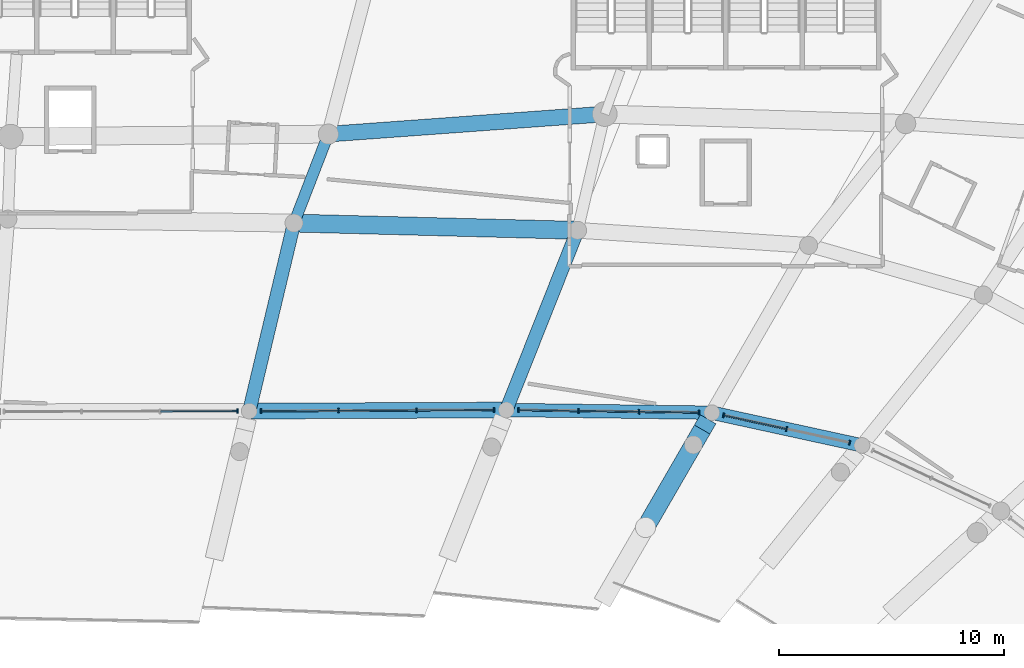
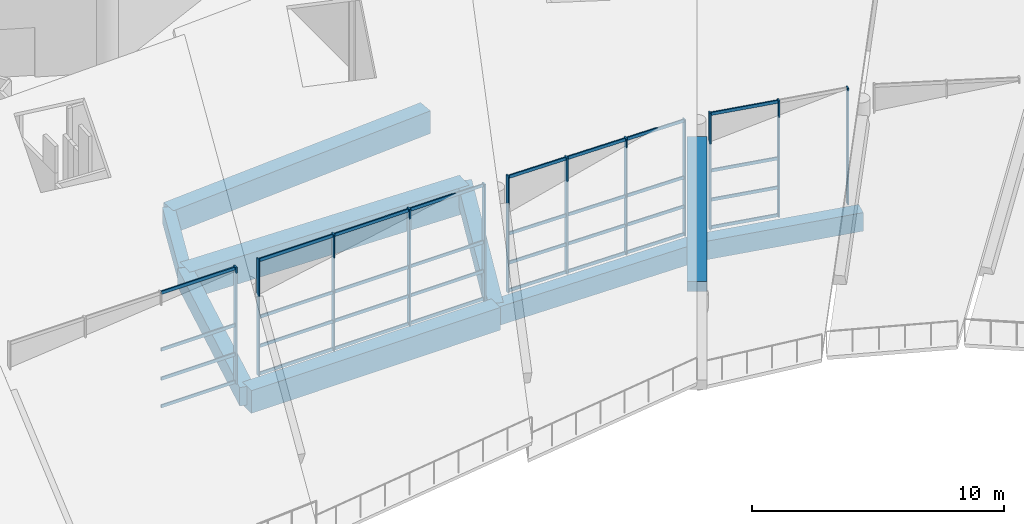
# One storey, part 86 of 249: 44 members, 9 beams, 4 elements without a shape of their own.
"""IFC4 building model written with IfcOpenShell, lengths in metres."""

from ifc_helpers import new_model, si_unit, direction, frame, origin, origin_2d, place, context, subcontext, project, spatial, rectangle, extrude, material, layer, layer_set, material_profile, profile_set, type_object, element, aggregate, save


model = new_model("IFC4")

# Units and contexts
model_context = context("Model", 3, precision=1e-05, world=origin(), true_north=direction((0.0, 1.0)))
body_context = subcontext(model_context, "Body", "Model", "MODEL_VIEW")
ifc_project = project(units=[si_unit("LENGTHUNIT", "METRE"), si_unit("AREAUNIT", "SQUARE_METRE"), si_unit("VOLUMEUNIT", "CUBIC_METRE"), si_unit("PLANEANGLEUNIT", "RADIAN"), si_unit("MASSUNIT", "GRAM", prefix="KILO")], contexts=[model_context])

# Site, building, storey
site_placement = place(None, origin())
site = spatial("IfcSite", under=ifc_project, at=site_placement, CompositionType="ELEMENT")
building_placement = place(site_placement, origin())
building = spatial("IfcBuilding", under=site, at=building_placement, Name="Meseta Stadium", CompositionType="ELEMENT")
storey_placement = place(building_placement, frame((0.0, 0.0, 12.0)))
storey = spatial("IfcBuildingStorey", under=building, at=storey_placement, Name="L02", CompositionType="ELEMENT", Elevation=12.0)

# Curtain wall, members
ifc_material_1 = material(Name="Aluminium", Category="aluminium")
ifc_layer = layer(ifc_material_1, 0.199951171875)
ifc_layer_set = layer_set([ifc_layer], Name="Suite glazing curtain wall")
curtain_wall_type = type_object("IfcCurtainWallType", Name="Suite glazing curtain wall", PredefinedType="NOTDEFINED", material=ifc_layer_set)
curtain_wall_1_placement = place(storey_placement, origin())
curtain_wall_1 = element("IfcCurtainWall", 1, at=curtain_wall_1_placement, inside=storey, type_object=curtain_wall_type, Name="Suite glazing bay 14", PredefinedType="NOTDEFINED")
ifc_material_2 = material(Name="Aluminium", Category="aluminium")
ifc_material_profile_1 = material_profile(ifc_material_2, rectangle(XDim=0.199951171875, YDim=0.06005859375, at=origin_2d()), Name="CW 200x60")
ifc_profile_set_1 = profile_set([ifc_material_profile_1], Name="Aluminium")
member_type_1 = type_object("IfcMemberType", Name="CW mullion 60x200", PredefinedType="MULLION", material=ifc_profile_set_1)
member_1_placement = place(storey_placement, frame((43.83740234375, 75.9267578125, 0.0), z_axis=(0.0, 0.0, 1.0), x_axis=(-0.21291694712, -0.977070301273, 0.0)))
member_1 = element("IfcMember", 2, at=member_1_placement, type_object=member_type_1, Name="CWS mullion 1", PredefinedType="MULLION", context=body_context, shape_type="SweptSolid", body=[
    extrude(rectangle(XDim=0.199951171875, YDim=0.06005859375, at=origin_2d()), origin(), (0.0, 0.0, 1.0), 5.64990234375),
])
member_2_placement = place(storey_placement, frame((41.034912109375, 76.53759765625, 0.0), z_axis=(0.0, 0.0, 1.0), x_axis=(-0.21291694712, -0.977070301273, 0.0)))
member_2 = element("IfcMember", 3, at=member_2_placement, type_object=member_type_1, Name="CWS mullion 2", PredefinedType="MULLION", context=body_context, shape_type="SweptSolid", body=[
    extrude(rectangle(XDim=0.199951171875, YDim=0.06005859375, at=origin_2d()), origin(), (0.0, 0.0, 1.0), 5.64990234375),
])
member_3_placement = place(storey_placement, frame((38.232421875, 77.148193359375, 0.0), z_axis=(0.0, 0.0, 1.0), x_axis=(-0.21291694712, -0.977070301273, 0.0)))
member_3 = element("IfcMember", 4, at=member_3_placement, type_object=member_type_1, Name="CWS mullion 3", PredefinedType="MULLION", context=body_context, shape_type="SweptSolid", body=[
    extrude(rectangle(XDim=0.199951171875, YDim=0.06005859375, at=origin_2d()), origin(), (0.0, 0.0, 1.0), 5.64990234375),
])

curtain_wall_2_placement = place(storey_placement, origin())
curtain_wall_2 = element("IfcCurtainWall", 5, at=curtain_wall_2_placement, inside=storey, type_object=curtain_wall_type, Name="Suite glazing bay 15", PredefinedType="NOTDEFINED")
member_4_placement = place(storey_placement, frame((37.1328125, 77.269287109375, 0.0), z_axis=(0.0, 0.0, 1.0), x_axis=(-0.013281177042, -0.999911801279, 0.0)))
member_4 = element("IfcMember", 6, at=member_4_placement, type_object=member_type_1, Name="CWS mullion 1", PredefinedType="MULLION", context=body_context, shape_type="SweptSolid", body=[
    extrude(rectangle(XDim=0.199951171875, YDim=0.06005859375, at=origin_2d()), origin(), (0.0, 0.0, 1.0), 5.64990234375),
])
member_5_placement = place(storey_placement, frame((34.4677734375, 77.3046875, 0.0), z_axis=(0.0, 0.0, 1.0), x_axis=(-0.013281177042, -0.999911801279, 0.0)))
member_5 = element("IfcMember", 7, at=member_5_placement, type_object=member_type_1, Name="CWS mullion 2", PredefinedType="MULLION", context=body_context, shape_type="SweptSolid", body=[
    extrude(rectangle(XDim=0.199951171875, YDim=0.06005859375, at=origin_2d()), origin(), (0.0, 0.0, 1.0), 5.64990234375),
])
member_6_placement = place(storey_placement, frame((31.7724609375, 77.340576171875, 0.0), z_axis=(0.0, 0.0, 1.0), x_axis=(-0.013281177042, -0.999911801279, 0.0)))
member_6 = element("IfcMember", 8, at=member_6_placement, type_object=member_type_1, Name="CWS mullion 3", PredefinedType="MULLION", context=body_context, shape_type="SweptSolid", body=[
    extrude(rectangle(XDim=0.199951171875, YDim=0.06005859375, at=origin_2d()), origin(), (0.0, 0.0, 1.0), 5.64990234375),
])
member_7_placement = place(storey_placement, frame((29.107421875, 77.3759765625, 0.0), z_axis=(0.0, 0.0, 1.0), x_axis=(-0.013281177042, -0.999911801279, 0.0)))
member_7 = element("IfcMember", 9, at=member_7_placement, type_object=member_type_1, Name="CWS mullion 4", PredefinedType="MULLION", context=body_context, shape_type="SweptSolid", body=[
    extrude(rectangle(XDim=0.199951171875, YDim=0.06005859375, at=origin_2d()), origin(), (0.0, 0.0, 1.0), 5.64990234375),
])

curtain_wall_3_placement = place(storey_placement, origin())
curtain_wall_3 = element("IfcCurtainWall", 10, at=curtain_wall_3_placement, inside=storey, type_object=curtain_wall_type, Name="Suite glazing bay 16", PredefinedType="NOTDEFINED")
member_8_placement = place(storey_placement, frame((28.0185546875, 77.380859375, 0.0), z_axis=(0.0, 0.0, 1.0), x_axis=(0.004468565348, -0.999990015912, 0.0)))
member_8 = element("IfcMember", 11, at=member_8_placement, type_object=member_type_1, Name="CWS mullion 1", PredefinedType="MULLION", context=body_context, shape_type="SweptSolid", body=[
    extrude(rectangle(XDim=0.199951171875, YDim=0.06005859375, at=origin_2d()), origin(), (0.0, 0.0, 1.0), 5.64990234375),
])
member_9_placement = place(storey_placement, frame((24.572265625, 77.365478515625, 0.0), z_axis=(0.0, 0.0, 1.0), x_axis=(0.004468565348, -0.999990015912, 0.0)))
member_9 = element("IfcMember", 12, at=member_9_placement, type_object=member_type_1, Name="CWS mullion 2", PredefinedType="MULLION", context=body_context, shape_type="SweptSolid", body=[
    extrude(rectangle(XDim=0.199951171875, YDim=0.06005859375, at=origin_2d()), origin(), (0.0, 0.0, 1.0), 5.64990234375),
])
member_10_placement = place(storey_placement, frame((21.095947265625, 77.349853515625, 0.0), z_axis=(0.0, 0.0, 1.0), x_axis=(0.004468565348, -0.999990015912, 0.0)))
member_10 = element("IfcMember", 13, at=member_10_placement, type_object=member_type_1, Name="CWS mullion 3", PredefinedType="MULLION", context=body_context, shape_type="SweptSolid", body=[
    extrude(rectangle(XDim=0.199951171875, YDim=0.06005859375, at=origin_2d()), origin(), (0.0, 0.0, 1.0), 5.64990234375),
])
member_11_placement = place(storey_placement, frame((17.6494140625, 77.33447265625, 0.0), z_axis=(0.0, 0.0, 1.0), x_axis=(0.004468565348, -0.999990015912, 0.0)))
member_11 = element("IfcMember", 14, at=member_11_placement, type_object=member_type_1, Name="CWS mullion 4", PredefinedType="MULLION", context=body_context, shape_type="SweptSolid", body=[
    extrude(rectangle(XDim=0.199951171875, YDim=0.06005859375, at=origin_2d()), origin(), (0.0, 0.0, 1.0), 5.64990234375),
])

# Curtain wall, member
curtain_wall_4_placement = place(storey_placement, origin())
curtain_wall_4 = element("IfcCurtainWall", 15, at=curtain_wall_4_placement, inside=storey, type_object=curtain_wall_type, Name="Suite glazing bay 17", PredefinedType="NOTDEFINED")
member_12_placement = place(storey_placement, frame((16.60400390625, 77.330810546875, 0.0), z_axis=(0.0, 0.0, 1.0), x_axis=(0.002485957037, -0.999996910004, 0.0)))
member_12 = element("IfcMember", 16, at=member_12_placement, type_object=member_type_1, Name="CWS mullion 1", PredefinedType="MULLION", context=body_context, shape_type="SweptSolid", body=[
    extrude(rectangle(XDim=0.199951171875, YDim=0.06005859375, at=origin_2d()), origin(), (0.0, 0.0, 1.0), 5.64990234375),
])

# Member
ifc_material_3 = material(Name="Aluminium", Category="aluminium")
ifc_material_profile_2 = material_profile(ifc_material_3, rectangle(XDim=0.06005859375, YDim=0.14990234375, at=origin_2d()), Name="CW 60x150")
ifc_profile_set_2 = profile_set([ifc_material_profile_2], Name="Aluminium")
member_type_2 = type_object("IfcMemberType", Name="CW transom 60x150", PredefinedType="USERDEFINED", material=ifc_profile_set_2)
member_13_placement = place(storey_placement, frame((41.005615234375, 76.5439453125, 0.074951171875), z_axis=(-0.977072677928, 0.212906040417, 0.0), x_axis=(-0.212906040417, -0.977072677928, 0.0)))
member_13 = element("IfcMember", 17, at=member_13_placement, type_object=member_type_2, Name="CWS transom 2.1", ObjectType="TRANSOM", PredefinedType="USERDEFINED", context=body_context, shape_type="SweptSolid", body=[
    extrude(rectangle(XDim=0.06005859375, YDim=0.14990234375, at=origin_2d()), origin(), (0.0, 0.0, 1.0), 2.808349609375),
])

member_14_placement = place(storey_placement, frame((41.005615234375, 76.5439453125, 1.41259765625), z_axis=(-0.977072677928, 0.212906040417, 0.0), x_axis=(-0.212906040417, -0.977072677928, 0.0)))
member_14 = element("IfcMember", 18, at=member_14_placement, type_object=member_type_2, Name="CWS transom 2.2", ObjectType="TRANSOM", PredefinedType="USERDEFINED", context=body_context, shape_type="SweptSolid", body=[
    extrude(rectangle(XDim=0.06005859375, YDim=0.14990234375, at=origin_2d()), origin(), (0.0, 0.0, 1.0), 2.808349609375),
])

member_15_placement = place(storey_placement, frame((41.005615234375, 76.5439453125, 2.824951171875), z_axis=(-0.977072677928, 0.212906040417, 0.0), x_axis=(-0.212906040417, -0.977072677928, 0.0)))
member_15 = element("IfcMember", 19, at=member_15_placement, type_object=member_type_2, Name="CWS transom 2.3", ObjectType="TRANSOM", PredefinedType="USERDEFINED", context=body_context, shape_type="SweptSolid", body=[
    extrude(rectangle(XDim=0.06005859375, YDim=0.14990234375, at=origin_2d()), origin(), (0.0, 0.0, 1.0), 2.808349609375),
])

member_16_placement = place(storey_placement, frame((41.005615234375, 76.5439453125, 5.574951171875), z_axis=(-0.977072677928, 0.212906040417, 0.0), x_axis=(-0.212906040417, -0.977072677928, 0.0)))
member_16 = element("IfcMember", 20, at=member_16_placement, type_object=member_type_2, Name="CWS transom 2.4", ObjectType="TRANSOM", PredefinedType="USERDEFINED", context=body_context, shape_type="SweptSolid", body=[
    extrude(rectangle(XDim=0.06005859375, YDim=0.14990234375, at=origin_2d()), origin(), (0.0, 0.0, 1.0), 2.808349609375),
])

aggregate(curtain_wall_1, [member_1, member_2, member_3, member_13, member_14, member_15, member_16])

member_17_placement = place(storey_placement, frame((37.102783203125, 77.269775390625, 0.074951171875), z_axis=(-0.999911472382, 0.013305915948, 0.0), x_axis=(-0.013305915948, -0.999911472382, 0.0)))
member_17 = element("IfcMember", 21, at=member_17_placement, type_object=member_type_2, Name="CWS transom 1.1", ObjectType="TRANSOM", PredefinedType="USERDEFINED", context=body_context, shape_type="SweptSolid", body=[
    extrude(rectangle(XDim=0.06005859375, YDim=0.14990234375, at=origin_2d()), origin(), (0.0, 0.0, 1.0), 2.60546875),
])

member_18_placement = place(storey_placement, frame((37.102783203125, 77.269775390625, 1.41259765625), z_axis=(-0.999911472382, 0.013305915948, 0.0), x_axis=(-0.013305915948, -0.999911472382, 0.0)))
member_18 = element("IfcMember", 22, at=member_18_placement, type_object=member_type_2, Name="CWS transom 1.2", ObjectType="TRANSOM", PredefinedType="USERDEFINED", context=body_context, shape_type="SweptSolid", body=[
    extrude(rectangle(XDim=0.06005859375, YDim=0.14990234375, at=origin_2d()), origin(), (0.0, 0.0, 1.0), 2.60546875),
])

member_19_placement = place(storey_placement, frame((37.102783203125, 77.269775390625, 2.824951171875), z_axis=(-0.999911472382, 0.013305915948, 0.0), x_axis=(-0.013305915948, -0.999911472382, 0.0)))
member_19 = element("IfcMember", 23, at=member_19_placement, type_object=member_type_2, Name="CWS transom 1.3", ObjectType="TRANSOM", PredefinedType="USERDEFINED", context=body_context, shape_type="SweptSolid", body=[
    extrude(rectangle(XDim=0.06005859375, YDim=0.14990234375, at=origin_2d()), origin(), (0.0, 0.0, 1.0), 2.60546875),
])

member_20_placement = place(storey_placement, frame((37.102783203125, 77.269775390625, 5.574951171875), z_axis=(-0.999911472382, 0.013305915948, 0.0), x_axis=(-0.013305915948, -0.999911472382, 0.0)))
member_20 = element("IfcMember", 24, at=member_20_placement, type_object=member_type_2, Name="CWS transom 1.4", ObjectType="TRANSOM", PredefinedType="USERDEFINED", context=body_context, shape_type="SweptSolid", body=[
    extrude(rectangle(XDim=0.06005859375, YDim=0.14990234375, at=origin_2d()), origin(), (0.0, 0.0, 1.0), 2.60546875),
])

member_21_placement = place(storey_placement, frame((34.437744140625, 77.30517578125, 0.074951171875), z_axis=(-0.999912255463, 0.013246938348, 0.0), x_axis=(-0.013246938348, -0.999912255463, 0.0)))
member_21 = element("IfcMember", 25, at=member_21_placement, type_object=member_type_2, Name="CWS transom 2.1", ObjectType="TRANSOM", PredefinedType="USERDEFINED", context=body_context, shape_type="SweptSolid", body=[
    extrude(rectangle(XDim=0.06005859375, YDim=0.14990234375, at=origin_2d()), origin(), (0.0, 0.0, 1.0), 2.635498046875),
])

member_22_placement = place(storey_placement, frame((34.437744140625, 77.30517578125, 1.41259765625), z_axis=(-0.999912255463, 0.013246938348, 0.0), x_axis=(-0.013246938348, -0.999912255463, 0.0)))
member_22 = element("IfcMember", 26, at=member_22_placement, type_object=member_type_2, Name="CWS transom 2.2", ObjectType="TRANSOM", PredefinedType="USERDEFINED", context=body_context, shape_type="SweptSolid", body=[
    extrude(rectangle(XDim=0.06005859375, YDim=0.14990234375, at=origin_2d()), origin(), (0.0, 0.0, 1.0), 2.635498046875),
])

member_23_placement = place(storey_placement, frame((34.437744140625, 77.30517578125, 2.824951171875), z_axis=(-0.999912255463, 0.013246938348, 0.0), x_axis=(-0.013246938348, -0.999912255463, 0.0)))
member_23 = element("IfcMember", 27, at=member_23_placement, type_object=member_type_2, Name="CWS transom 2.3", ObjectType="TRANSOM", PredefinedType="USERDEFINED", context=body_context, shape_type="SweptSolid", body=[
    extrude(rectangle(XDim=0.06005859375, YDim=0.14990234375, at=origin_2d()), origin(), (0.0, 0.0, 1.0), 2.635498046875),
])

member_24_placement = place(storey_placement, frame((34.437744140625, 77.30517578125, 5.574951171875), z_axis=(-0.999912255463, 0.013246938348, 0.0), x_axis=(-0.013246938348, -0.999912255463, 0.0)))
member_24 = element("IfcMember", 28, at=member_24_placement, type_object=member_type_2, Name="CWS transom 2.4", ObjectType="TRANSOM", PredefinedType="USERDEFINED", context=body_context, shape_type="SweptSolid", body=[
    extrude(rectangle(XDim=0.06005859375, YDim=0.14990234375, at=origin_2d()), origin(), (0.0, 0.0, 1.0), 2.635498046875),
])

member_25_placement = place(storey_placement, frame((31.742431640625, 77.341064453125, 0.074951171875), z_axis=(-0.999912698337, 0.013213466773, 0.0), x_axis=(-0.013213466773, -0.999912698337, 0.0)))
member_25 = element("IfcMember", 29, at=member_25_placement, type_object=member_type_2, Name="CWS transom 3.1", ObjectType="TRANSOM", PredefinedType="USERDEFINED", context=body_context, shape_type="SweptSolid", body=[
    extrude(rectangle(XDim=0.06005859375, YDim=0.14990234375, at=origin_2d()), origin(), (0.0, 0.0, 1.0), 2.605224609375),
])

member_26_placement = place(storey_placement, frame((31.742431640625, 77.341064453125, 1.41259765625), z_axis=(-0.999912698337, 0.013213466773, 0.0), x_axis=(-0.013213466773, -0.999912698337, 0.0)))
member_26 = element("IfcMember", 30, at=member_26_placement, type_object=member_type_2, Name="CWS transom 3.2", ObjectType="TRANSOM", PredefinedType="USERDEFINED", context=body_context, shape_type="SweptSolid", body=[
    extrude(rectangle(XDim=0.06005859375, YDim=0.14990234375, at=origin_2d()), origin(), (0.0, 0.0, 1.0), 2.605224609375),
])

member_27_placement = place(storey_placement, frame((31.742431640625, 77.341064453125, 2.824951171875), z_axis=(-0.999912698337, 0.013213466773, 0.0), x_axis=(-0.013213466773, -0.999912698337, 0.0)))
member_27 = element("IfcMember", 31, at=member_27_placement, type_object=member_type_2, Name="CWS transom 3.3", ObjectType="TRANSOM", PredefinedType="USERDEFINED", context=body_context, shape_type="SweptSolid", body=[
    extrude(rectangle(XDim=0.06005859375, YDim=0.14990234375, at=origin_2d()), origin(), (0.0, 0.0, 1.0), 2.605224609375),
])

member_28_placement = place(storey_placement, frame((31.742431640625, 77.341064453125, 5.574951171875), z_axis=(-0.999912698337, 0.013213466773, 0.0), x_axis=(-0.013213466773, -0.999912698337, 0.0)))
member_28 = element("IfcMember", 32, at=member_28_placement, type_object=member_type_2, Name="CWS transom 3.4", ObjectType="TRANSOM", PredefinedType="USERDEFINED", context=body_context, shape_type="SweptSolid", body=[
    extrude(rectangle(XDim=0.06005859375, YDim=0.14990234375, at=origin_2d()), origin(), (0.0, 0.0, 1.0), 2.605224609375),
])

aggregate(curtain_wall_2, [member_4, member_5, member_6, member_7, member_17, member_18, member_19, member_20, member_21, member_22, member_23, member_24, member_25, member_26, member_27, member_28])

member_29_placement = place(storey_placement, frame((27.988525390625, 77.380615234375, 0.074951171875), z_axis=(-0.999990009345, -0.004470034649, 0.0), x_axis=(0.004470034649, -0.999990009345, 0.0)))
member_29 = element("IfcMember", 33, at=member_29_placement, type_object=member_type_2, Name="CWS transom 1.1", ObjectType="TRANSOM", PredefinedType="USERDEFINED", context=body_context, shape_type="SweptSolid", body=[
    extrude(rectangle(XDim=0.06005859375, YDim=0.14990234375, at=origin_2d()), origin(), (0.0, 0.0, 1.0), 3.38623046875),
])

member_30_placement = place(storey_placement, frame((27.988525390625, 77.380615234375, 1.41259765625), z_axis=(-0.999990009345, -0.004470034649, 0.0), x_axis=(0.004470034649, -0.999990009345, 0.0)))
member_30 = element("IfcMember", 34, at=member_30_placement, type_object=member_type_2, Name="CWS transom 1.2", ObjectType="TRANSOM", PredefinedType="USERDEFINED", context=body_context, shape_type="SweptSolid", body=[
    extrude(rectangle(XDim=0.06005859375, YDim=0.14990234375, at=origin_2d()), origin(), (0.0, 0.0, 1.0), 3.38623046875),
])

member_31_placement = place(storey_placement, frame((27.988525390625, 77.380615234375, 2.824951171875), z_axis=(-0.999990009345, -0.004470034649, 0.0), x_axis=(0.004470034649, -0.999990009345, 0.0)))
member_31 = element("IfcMember", 35, at=member_31_placement, type_object=member_type_2, Name="CWS transom 1.3", ObjectType="TRANSOM", PredefinedType="USERDEFINED", context=body_context, shape_type="SweptSolid", body=[
    extrude(rectangle(XDim=0.06005859375, YDim=0.14990234375, at=origin_2d()), origin(), (0.0, 0.0, 1.0), 3.38623046875),
])

member_32_placement = place(storey_placement, frame((27.988525390625, 77.380615234375, 5.574951171875), z_axis=(-0.999990009345, -0.004470034649, 0.0), x_axis=(0.004470034649, -0.999990009345, 0.0)))
member_32 = element("IfcMember", 36, at=member_32_placement, type_object=member_type_2, Name="CWS transom 1.4", ObjectType="TRANSOM", PredefinedType="USERDEFINED", context=body_context, shape_type="SweptSolid", body=[
    extrude(rectangle(XDim=0.06005859375, YDim=0.14990234375, at=origin_2d()), origin(), (0.0, 0.0, 1.0), 3.38623046875),
])

member_33_placement = place(storey_placement, frame((24.542236328125, 77.365234375, 0.074951171875), z_axis=(-0.999989865021, -0.004502205495, 0.0), x_axis=(0.004502205495, -0.999989865021, 0.0)))
member_33 = element("IfcMember", 37, at=member_33_placement, type_object=member_type_2, Name="CWS transom 2.1", ObjectType="TRANSOM", PredefinedType="USERDEFINED", context=body_context, shape_type="SweptSolid", body=[
    extrude(rectangle(XDim=0.06005859375, YDim=0.14990234375, at=origin_2d()), origin(), (0.0, 0.0, 1.0), 3.416259765625),
])

member_34_placement = place(storey_placement, frame((24.542236328125, 77.365234375, 1.41259765625), z_axis=(-0.999989865021, -0.004502205495, 0.0), x_axis=(0.004502205495, -0.999989865021, 0.0)))
member_34 = element("IfcMember", 38, at=member_34_placement, type_object=member_type_2, Name="CWS transom 2.2", ObjectType="TRANSOM", PredefinedType="USERDEFINED", context=body_context, shape_type="SweptSolid", body=[
    extrude(rectangle(XDim=0.06005859375, YDim=0.14990234375, at=origin_2d()), origin(), (0.0, 0.0, 1.0), 3.416259765625),
])

member_35_placement = place(storey_placement, frame((24.542236328125, 77.365234375, 2.824951171875), z_axis=(-0.999989865021, -0.004502205495, 0.0), x_axis=(0.004502205495, -0.999989865021, 0.0)))
member_35 = element("IfcMember", 39, at=member_35_placement, type_object=member_type_2, Name="CWS transom 2.3", ObjectType="TRANSOM", PredefinedType="USERDEFINED", context=body_context, shape_type="SweptSolid", body=[
    extrude(rectangle(XDim=0.06005859375, YDim=0.14990234375, at=origin_2d()), origin(), (0.0, 0.0, 1.0), 3.416259765625),
])

member_36_placement = place(storey_placement, frame((24.542236328125, 77.365234375, 5.574951171875), z_axis=(-0.999989865021, -0.004502205495, 0.0), x_axis=(0.004502205495, -0.999989865021, 0.0)))
member_36 = element("IfcMember", 40, at=member_36_placement, type_object=member_type_2, Name="CWS transom 2.4", ObjectType="TRANSOM", PredefinedType="USERDEFINED", context=body_context, shape_type="SweptSolid", body=[
    extrude(rectangle(XDim=0.06005859375, YDim=0.14990234375, at=origin_2d()), origin(), (0.0, 0.0, 1.0), 3.416259765625),
])

member_37_placement = place(storey_placement, frame((21.06591796875, 77.349609375, 0.074951171875), z_axis=(-0.999990010786, -0.004469712398, 0.0), x_axis=(0.004469712398, -0.999990010786, 0.0)))
member_37 = element("IfcMember", 41, at=member_37_placement, type_object=member_type_2, Name="CWS transom 3.1", ObjectType="TRANSOM", PredefinedType="USERDEFINED", context=body_context, shape_type="SweptSolid", body=[
    extrude(rectangle(XDim=0.06005859375, YDim=0.14990234375, at=origin_2d()), origin(), (0.0, 0.0, 1.0), 3.386474609375),
])

member_38_placement = place(storey_placement, frame((21.06591796875, 77.349609375, 1.41259765625), z_axis=(-0.999990010786, -0.004469712398, 0.0), x_axis=(0.004469712398, -0.999990010786, 0.0)))
member_38 = element("IfcMember", 42, at=member_38_placement, type_object=member_type_2, Name="CWS transom 3.2", ObjectType="TRANSOM", PredefinedType="USERDEFINED", context=body_context, shape_type="SweptSolid", body=[
    extrude(rectangle(XDim=0.06005859375, YDim=0.14990234375, at=origin_2d()), origin(), (0.0, 0.0, 1.0), 3.386474609375),
])

member_39_placement = place(storey_placement, frame((21.06591796875, 77.349609375, 2.824951171875), z_axis=(-0.999990010786, -0.004469712398, 0.0), x_axis=(0.004469712398, -0.999990010786, 0.0)))
member_39 = element("IfcMember", 43, at=member_39_placement, type_object=member_type_2, Name="CWS transom 3.3", ObjectType="TRANSOM", PredefinedType="USERDEFINED", context=body_context, shape_type="SweptSolid", body=[
    extrude(rectangle(XDim=0.06005859375, YDim=0.14990234375, at=origin_2d()), origin(), (0.0, 0.0, 1.0), 3.386474609375),
])

member_40_placement = place(storey_placement, frame((21.06591796875, 77.349609375, 5.574951171875), z_axis=(-0.999990010786, -0.004469712398, 0.0), x_axis=(0.004469712398, -0.999990010786, 0.0)))
member_40 = element("IfcMember", 44, at=member_40_placement, type_object=member_type_2, Name="CWS transom 3.4", ObjectType="TRANSOM", PredefinedType="USERDEFINED", context=body_context, shape_type="SweptSolid", body=[
    extrude(rectangle(XDim=0.06005859375, YDim=0.14990234375, at=origin_2d()), origin(), (0.0, 0.0, 1.0), 3.386474609375),
])

aggregate(curtain_wall_3, [member_8, member_9, member_10, member_11, member_29, member_30, member_31, member_32, member_33, member_34, member_35, member_36, member_37, member_38, member_39, member_40])

member_41_placement = place(storey_placement, frame((16.573974609375, 77.330810546875, 0.074951171875), z_axis=(-0.999996827151, -0.002519064989, 0.0), x_axis=(0.002519064989, -0.999996827151, 0.0)))
member_41 = element("IfcMember", 45, at=member_41_placement, type_object=member_type_2, Name="CWS transom 1.1", ObjectType="TRANSOM", PredefinedType="USERDEFINED", context=body_context, shape_type="SweptSolid", body=[
    extrude(rectangle(XDim=0.06005859375, YDim=0.14990234375, at=origin_2d()), origin(), (0.0, 0.0, 1.0), 3.39208984375),
])

member_42_placement = place(storey_placement, frame((16.573974609375, 77.330810546875, 1.41259765625), z_axis=(-0.999996827151, -0.002519064989, 0.0), x_axis=(0.002519064989, -0.999996827151, 0.0)))
member_42 = element("IfcMember", 46, at=member_42_placement, type_object=member_type_2, Name="CWS transom 1.2", ObjectType="TRANSOM", PredefinedType="USERDEFINED", context=body_context, shape_type="SweptSolid", body=[
    extrude(rectangle(XDim=0.06005859375, YDim=0.14990234375, at=origin_2d()), origin(), (0.0, 0.0, 1.0), 3.39208984375),
])

member_43_placement = place(storey_placement, frame((16.573974609375, 77.330810546875, 2.824951171875), z_axis=(-0.999996827151, -0.002519064989, 0.0), x_axis=(0.002519064989, -0.999996827151, 0.0)))
member_43 = element("IfcMember", 47, at=member_43_placement, type_object=member_type_2, Name="CWS transom 1.3", ObjectType="TRANSOM", PredefinedType="USERDEFINED", context=body_context, shape_type="SweptSolid", body=[
    extrude(rectangle(XDim=0.06005859375, YDim=0.14990234375, at=origin_2d()), origin(), (0.0, 0.0, 1.0), 3.39208984375),
])

member_44_placement = place(storey_placement, frame((16.573974609375, 77.330810546875, 5.574951171875), z_axis=(-0.999996827151, -0.002519064989, 0.0), x_axis=(0.002519064989, -0.999996827151, 0.0)))
member_44 = element("IfcMember", 48, at=member_44_placement, type_object=member_type_2, Name="CWS transom 1.4", ObjectType="TRANSOM", PredefinedType="USERDEFINED", context=body_context, shape_type="SweptSolid", body=[
    extrude(rectangle(XDim=0.06005859375, YDim=0.14990234375, at=origin_2d()), origin(), (0.0, 0.0, 1.0), 3.39208984375),
])

aggregate(curtain_wall_4, [member_12, member_41, member_42, member_43, member_44])

# Beams
ifc_material_4 = material(Name="Concrete C40/50", Category="concrete")
ifc_material_profile_3 = material_profile(ifc_material_4, rectangle(XDim=0.5, YDim=0.75, at=origin_2d()), Name="RC 500x750")
ifc_profile_set_3 = profile_set([ifc_material_profile_3], Name="Concrete C40/50")
beam_type_1 = type_object("IfcBeamType", Name="RC beam 500x750", PredefinedType="BEAM", material=ifc_profile_set_3)
beam_1_placement = place(storey_placement, frame((19.11865234375, 85.6982421875, -0.72509765625), z_axis=(0.360763299369, 0.932657408606, 0.0), x_axis=(-0.932657408606, 0.360763299369, 0.0)))
element("IfcBeam", 49, at=beam_1_placement, inside=storey, type_object=beam_type_1, Name="L02 radial beam frame 17 line E to P", PredefinedType="BEAM", context=body_context, shape_type="SweptSolid", body=[
    extrude(rectangle(XDim=0.5, YDim=0.75, at=origin_2d()), origin(), (0.0, 0.0, 1.0), 4.243896484375),
])
ifc_material_5 = material(Name="Concrete C40/50", Category="concrete")
ifc_material_profile_4 = material_profile(ifc_material_5, rectangle(XDim=0.60009765625, YDim=0.89990234375, at=origin_2d()), Name="RC 600x900")
ifc_profile_set_4 = profile_set([ifc_material_profile_4], Name="Concrete C40/50")
beam_type_2 = type_object("IfcBeamType", Name="RC beam 600x900", PredefinedType="BEAM", material=ifc_profile_set_4)
beam_2_placement = place(storey_placement, frame((44.389892578125, 75.806396484375, -0.800048828125), z_axis=(-0.977068887475, 0.212923434899, 0.0), x_axis=(-0.212923434899, -0.977068887475, 0.0)))
element("IfcBeam", 50, at=beam_2_placement, inside=storey, type_object=beam_type_2, Name="L02 ring beam frame 14 line D", PredefinedType="BEAM", context=body_context, shape_type="SweptSolid", body=[
    extrude(rectangle(XDim=0.60009765625, YDim=0.89990234375, at=origin_2d()), origin(), (0.0, 0.0, 1.0), 6.8349609375),
])
beam_3_placement = place(storey_placement, frame((37.711669921875, 77.26171875, -0.800048828125), z_axis=(-0.999911672388, 0.013290877405, 0.0), x_axis=(-0.013290877405, -0.999911672388, 0.0)))
element("IfcBeam", 51, at=beam_3_placement, inside=storey, type_object=beam_type_2, Name="L02 ring beam frame 15 line D", PredefinedType="BEAM", context=body_context, shape_type="SweptSolid", body=[
    extrude(rectangle(XDim=0.60009765625, YDim=0.89990234375, at=origin_2d()), origin(), (0.0, 0.0, 1.0), 9.147705078125),
])
beam_4_placement = place(storey_placement, frame((28.564697265625, 77.38330078125, -0.800048828125), z_axis=(0.36885875695, 0.929485458424, 0.0), x_axis=(-0.929485458424, 0.36885875695, 0.0)))
element("IfcBeam", 52, at=beam_4_placement, inside=storey, type_object=beam_type_2, Name="L02 radial beam frame 16 line D to E", PredefinedType="BEAM", context=body_context, shape_type="SweptSolid", body=[
    extrude(rectangle(XDim=0.60009765625, YDim=0.89990234375, at=origin_2d()), origin(), (0.0, 0.0, 1.0), 8.599853515625),
])
beam_5_placement = place(storey_placement, frame((17.126708984375, 77.33203125, -0.800048828125), z_axis=(0.23161924801, 0.972806519279, 0.0), x_axis=(-0.972806519279, 0.23161924801, 0.0)))
element("IfcBeam", 53, at=beam_5_placement, inside=storey, type_object=beam_type_2, Name="L02 radial beam frame 17 line D to E", PredefinedType="BEAM", context=body_context, shape_type="SweptSolid", body=[
    extrude(rectangle(XDim=0.60009765625, YDim=0.89990234375, at=origin_2d()), origin(), (0.0, 0.0, 1.0), 8.60009765625),
])
ifc_material_6 = material(Name="Concrete C40/50", Category="concrete")
ifc_material_profile_5 = material_profile(ifc_material_6, rectangle(XDim=0.699951171875, YDim=1.10009765625, at=origin_2d()), Name="RC 700x1100")
ifc_profile_set_5 = profile_set([ifc_material_profile_5], Name="Concrete C40/50")
beam_type_3 = type_object("IfcBeamType", Name="RC beam 700x1100", PredefinedType="BEAM", material=ifc_profile_set_5)
beam_6_placement = place(storey_placement, frame((28.564697265625, 77.38330078125, -0.89990234375), z_axis=(-0.999989954239, -0.004482345579, 0.0), x_axis=(0.004482345579, -0.999989954239, 0.0)))
element("IfcBeam", 54, at=beam_6_placement, inside=storey, type_object=beam_type_3, Name="L02 ring beam frame 16 line D", PredefinedType="BEAM", context=body_context, shape_type="SweptSolid", body=[
    extrude(rectangle(XDim=0.699951171875, YDim=1.10009765625, at=origin_2d()), origin(), (0.0, 0.0, 1.0), 11.43798828125),
])
beam_7_placement = place(storey_placement, frame((32.944091796875, 90.551025390625, -0.89990234375), z_axis=(-0.99736209032, -0.072586918881, 0.0), x_axis=(0.072586918881, -0.99736209032, 0.0)))
element("IfcBeam", 55, at=beam_7_placement, inside=storey, type_object=beam_type_3, Name="L02 ring beam frame 16 line P", PredefinedType="BEAM", context=body_context, shape_type="SweptSolid", body=[
    extrude(rectangle(XDim=0.699951171875, YDim=1.10009765625, at=origin_2d()), origin(), (0.0, 0.0, 1.0), 12.326904296875),
])
ifc_material_7 = material(Name="Concrete C40/50", Category="concrete")
ifc_material_profile_6 = material_profile(ifc_material_7, rectangle(XDim=0.800048828125, YDim=1.300048828125, at=origin_2d()), Name="RC 800x1300")
ifc_profile_set_6 = profile_set([ifc_material_profile_6], Name="Concrete C40/50")
beam_type_4 = type_object("IfcBeamType", Name="RC beam 800x1300", PredefinedType="BEAM", material=ifc_profile_set_6)
beam_8_placement = place(storey_placement, frame((31.73681640625, 85.376708984375, -1.0), z_axis=(-0.999675497622, 0.02547350496, 0.0), x_axis=(-0.02547350496, -0.999675497622, 0.0)))
element("IfcBeam", 56, at=beam_8_placement, inside=storey, type_object=beam_type_4, Name="L02 ring beam frame 16 line E", PredefinedType="BEAM", context=body_context, shape_type="SweptSolid", body=[
    extrude(rectangle(XDim=0.800048828125, YDim=1.300048828125, at=origin_2d()), origin(), (0.0, 0.0, 1.0), 12.622314453125),
])
ifc_material_8 = material(Name="Concrete C40/50", Category="concrete")
ifc_material_profile_7 = material_profile(ifc_material_8, rectangle(XDim=0.800048828125, YDim=1.0, at=origin_2d()), Name="RC 800x1000")
ifc_profile_set_7 = profile_set([ifc_material_profile_7], Name="Concrete C40/50")
beam_type_5 = type_object("IfcBeamType", Name="RC raker upper front 800x1000", PredefinedType="USERDEFINED", material=ifc_profile_set_7)
beam_9_placement = place(storey_placement, frame((34.7607421875, 72.15625, 1.460693359375), z_axis=(0.424682874721, 0.734688075037, 0.529034864936), x_axis=(-0.865764786309, 0.500451131268, 0.0)))
element("IfcBeam", 57, at=beam_9_placement, inside=storey, type_object=beam_type_5, Name="Raker upper front frame 15 upper tier", ObjectType="RAKER", PredefinedType="USERDEFINED", context=body_context, shape_type="SweptSolid", body=[
    extrude(rectangle(XDim=0.800048828125, YDim=1.0, at=origin_2d()), origin(), (0.0, 0.0, 1.0), 6.241943359375),
])

save(model, "model.ifc")
